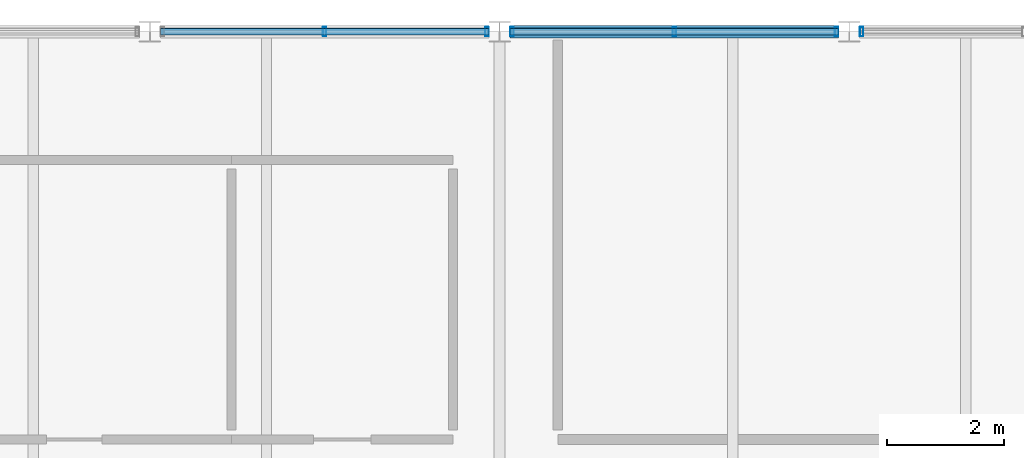
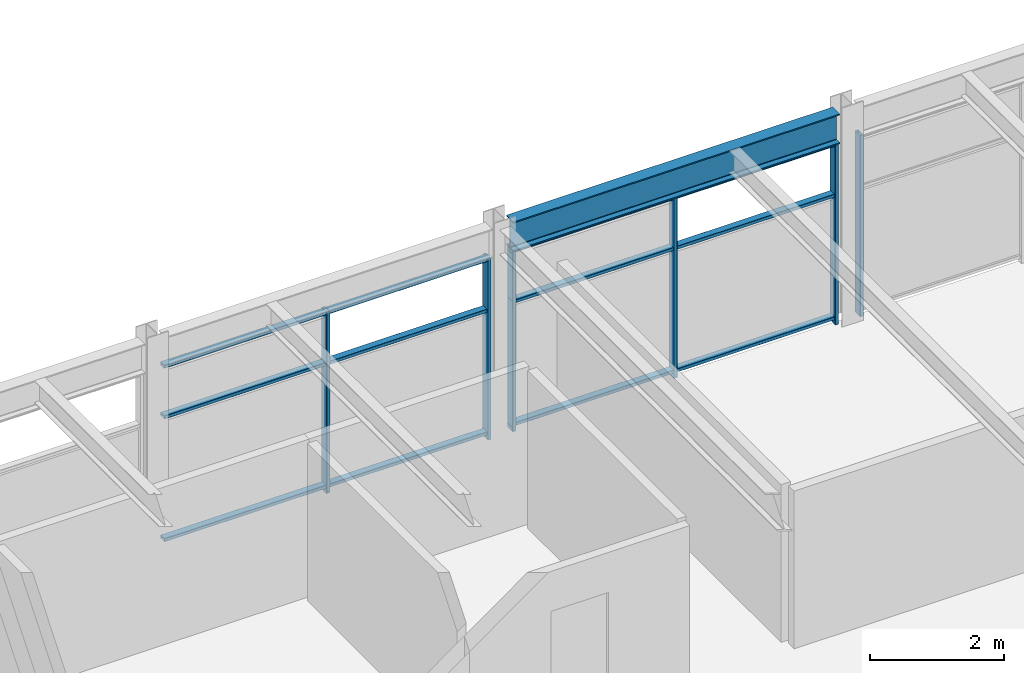
# One storey, part 20 of 40: 12 members, 1 beam, 3 elements without a shape of their own.
"""IFC4 building model written with IfcOpenShell, lengths in metres."""

from ifc_helpers import new_model, si_unit, direction, frame, origin, origin_2d, place, context, subcontext, project, spatial, hollow_rectangle, i_section, extrude, material, material_profile, profile_set, type_object, element, aggregate, save


model = new_model("IFC4")

# Units and contexts
model_context = context("Model", 3, precision=1e-05, world=origin(), true_north=direction((0.0, 1.0)))
body_context = subcontext(model_context, "Body", "Model", "MODEL_VIEW")
ifc_project = project(units=[si_unit("LENGTHUNIT", "METRE"), si_unit("AREAUNIT", "SQUARE_METRE"), si_unit("VOLUMEUNIT", "CUBIC_METRE"), si_unit("PLANEANGLEUNIT", "RADIAN"), si_unit("MASSUNIT", "GRAM", prefix="KILO")], contexts=[model_context])

# Site, building, storey
site_placement = place(None, origin())
site = spatial("IfcSite", under=ifc_project, at=site_placement, CompositionType="ELEMENT")
building_placement = place(site_placement, origin())
building = spatial("IfcBuilding", under=site, at=building_placement, Name="Girod Span Mobility Hub", CompositionType="ELEMENT")
storey_placement = place(building_placement, frame((0.0, 0.0, 57.60009765625)))
storey = spatial("IfcBuildingStorey", under=building, at=storey_placement, Name="L14", CompositionType="ELEMENT", Elevation=57.60009765625)

# Beam
ifc_material_1 = material(Name="Steel A992 Grade 50", Category="steel")
ifc_material_profile_1 = material_profile(ifc_material_1, i_section(OverallWidth=0.2119140625, OverallDepth=0.5439453125, WebThickness=0.01318359375, FlangeThickness=0.021240234375, FilletRadius=0.014892578125, at=origin_2d()), Name="W21X83")
ifc_profile_set_1 = profile_set([ifc_material_profile_1], Name="Steel A992 Grade 50")
beam_type = type_object("IfcBeamType", Name="BM-STL-W21X83", PredefinedType="SPANDREL", material=ifc_profile_set_1)
beam_placement = place(storey_placement, frame((72.181396484375, 69.0, 3.577880859375), z_axis=(1.0, 0.0, 0.0), x_axis=(0.0, 1.0, 0.0)))
element("IfcBeam", 1, at=beam_placement, inside=storey, type_object=beam_type, Name="Spandrel Beam 7-8/F-W L14", PredefinedType="SPANDREL", context=body_context, shape_type="SweptSolid", body=[
    extrude(i_section(OverallWidth=0.2119140625, OverallDepth=0.5439453125, WebThickness=0.01318359375, FlangeThickness=0.021240234375, FilletRadius=0.014892578125, at=origin_2d()), origin(), (0.0, 0.0, 1.0), 5.63720703125),
])

# Curtain wall, members
ifc_material_2 = material(Name="Thermally Broken Anodised Aluminium", Category="aluminium")
curtain_wall_type = type_object("IfcCurtainWallType", Name="CW-564X331", PredefinedType="USERDEFINED", material=ifc_material_2)
curtain_wall_1_placement = place(storey_placement, origin())
curtain_wall_1 = element("IfcCurtainWall", 2, at=curtain_wall_1_placement, inside=storey, type_object=curtain_wall_type, Name="Unitised Curtain Wall CW-L14-N06E L14", ObjectType="UNITISED CURTAIN WALL", PredefinedType="USERDEFINED")
ifc_material_3 = material(Name="Thermally Broken Anodised Aluminium", Category="aluminium")
ifc_material_profile_2 = material_profile(ifc_material_3, hollow_rectangle(XDim=0.159912109375, YDim=0.06005859375, WallThickness=0.00341796875, InnerFilletRadius=0.00341796875, OuterFilletRadius=0.007080078125, at=origin_2d()), Name="CW-ML-60X160")
ifc_profile_set_2 = profile_set([ifc_material_profile_2], Name="Thermally Broken Anodised Aluminium")
member_type_1 = type_object("IfcMemberType", Name="CWM-ML-3", PredefinedType="MULLION", material=ifc_profile_set_2)
member_1_placement = place(storey_placement, frame((69.0, 69.0, 0.0), z_axis=(0.0, 0.0, 1.0), x_axis=(0.0, 1.0, 0.0)))
member_1 = element("IfcMember", 3, at=member_1_placement, type_object=member_type_1, Name="Curtain Wall Mullion CW-L14-N06E-M1", PredefinedType="MULLION", context=body_context, shape_type="SweptSolid", body=[
    extrude(hollow_rectangle(XDim=0.159912109375, YDim=0.06005859375, WallThickness=0.00341796875, InnerFilletRadius=0.00341796875, OuterFilletRadius=0.007080078125, at=origin_2d()), origin(), (0.0, 0.0, 1.0), 3.305908203125),
])
member_2_placement = place(storey_placement, frame((71.785400390625, 69.0, 0.0), z_axis=(0.0, 0.0, 1.0), x_axis=(0.0, 1.0, 0.0)))
member_2 = element("IfcMember", 4, at=member_2_placement, type_object=member_type_1, Name="Curtain Wall Mullion CW-L14-N06E-M2", PredefinedType="MULLION", context=body_context, shape_type="SweptSolid", body=[
    extrude(hollow_rectangle(XDim=0.159912109375, YDim=0.06005859375, WallThickness=0.00341796875, InnerFilletRadius=0.00341796875, OuterFilletRadius=0.007080078125, at=origin_2d()), origin(), (0.0, 0.0, 1.0), 3.305908203125),
])

curtain_wall_2_placement = place(storey_placement, origin())
curtain_wall_2 = element("IfcCurtainWall", 5, at=curtain_wall_2_placement, inside=storey, type_object=curtain_wall_type, Name="Unitised Curtain Wall CW-L14-N07W L14", ObjectType="UNITISED CURTAIN WALL", PredefinedType="USERDEFINED")
member_3_placement = place(storey_placement, frame((72.214599609375, 69.0, 0.0), z_axis=(0.0, 0.0, 1.0), x_axis=(0.0, 1.0, 0.0)))
member_3 = element("IfcMember", 6, at=member_3_placement, type_object=member_type_1, Name="Curtain Wall Mullion CW-L14-N07W-M0", PredefinedType="MULLION", context=body_context, shape_type="SweptSolid", body=[
    extrude(hollow_rectangle(XDim=0.159912109375, YDim=0.06005859375, WallThickness=0.00341796875, InnerFilletRadius=0.00341796875, OuterFilletRadius=0.007080078125, at=origin_2d()), origin(), (0.0, 0.0, 1.0), 3.305908203125),
])
member_4_placement = place(storey_placement, frame((75.0, 69.0, 0.0), z_axis=(0.0, 0.0, 1.0), x_axis=(0.0, 1.0, 0.0)))
member_4 = element("IfcMember", 7, at=member_4_placement, type_object=member_type_1, Name="Curtain Wall Mullion CW-L14-N07W-M1", PredefinedType="MULLION", context=body_context, shape_type="SweptSolid", body=[
    extrude(hollow_rectangle(XDim=0.159912109375, YDim=0.06005859375, WallThickness=0.00341796875, InnerFilletRadius=0.00341796875, OuterFilletRadius=0.007080078125, at=origin_2d()), origin(), (0.0, 0.0, 1.0), 3.305908203125),
])
member_5_placement = place(storey_placement, frame((77.785400390625, 69.0, 0.0), z_axis=(0.0, 0.0, 1.0), x_axis=(0.0, 1.0, 0.0)))
member_5 = element("IfcMember", 8, at=member_5_placement, type_object=member_type_1, Name="Curtain Wall Mullion CW-L14-N07W-M2", PredefinedType="MULLION", context=body_context, shape_type="SweptSolid", body=[
    extrude(hollow_rectangle(XDim=0.159912109375, YDim=0.06005859375, WallThickness=0.00341796875, InnerFilletRadius=0.00341796875, OuterFilletRadius=0.007080078125, at=origin_2d()), origin(), (0.0, 0.0, 1.0), 3.305908203125),
])

# Curtain wall, member
curtain_wall_3_placement = place(storey_placement, origin())
curtain_wall_3 = element("IfcCurtainWall", 9, at=curtain_wall_3_placement, inside=storey, type_object=curtain_wall_type, Name="Unitised Curtain Wall CW-L14-N07E L14", ObjectType="UNITISED CURTAIN WALL", PredefinedType="USERDEFINED")
member_6_placement = place(storey_placement, frame((78.214599609375, 69.0, 0.0), z_axis=(0.0, 0.0, 1.0), x_axis=(0.0, 1.0, 0.0)))
member_6 = element("IfcMember", 10, at=member_6_placement, type_object=member_type_1, Name="Curtain Wall Mullion CW-L14-N07E-M0", PredefinedType="MULLION", context=body_context, shape_type="SweptSolid", body=[
    extrude(hollow_rectangle(XDim=0.159912109375, YDim=0.06005859375, WallThickness=0.00341796875, InnerFilletRadius=0.00341796875, OuterFilletRadius=0.007080078125, at=origin_2d()), origin(), (0.0, 0.0, 1.0), 3.305908203125),
])
aggregate(curtain_wall_3, [member_6])

# Member
ifc_material_4 = material(Name="Thermally Broken Anodised Aluminium", Category="aluminium")
ifc_material_profile_3 = material_profile(ifc_material_4, hollow_rectangle(XDim=0.1201171875, YDim=0.06005859375, WallThickness=0.00341796875, InnerFilletRadius=0.00341796875, OuterFilletRadius=0.007080078125, at=origin_2d()), Name="CW-TR-60X120")
ifc_profile_set_3 = profile_set([ifc_material_profile_3], Name="Thermally Broken Anodised Aluminium")
member_type_2 = type_object("IfcMemberType", Name="CWM-TR-3", PredefinedType="USERDEFINED", material=ifc_profile_set_3)
member_7_placement = place(storey_placement, frame((66.1826171875, 69.0, 0.10986328125), z_axis=(1.0, 0.0, 0.0), x_axis=(0.0, 1.0, 0.0)))
member_7 = element("IfcMember", 11, at=member_7_placement, type_object=member_type_2, Name="Curtain Wall Transom CW-L14-N06E-T1", ObjectType="TRANSOM", PredefinedType="USERDEFINED", context=body_context, shape_type="SweptSolid", body=[
    extrude(hollow_rectangle(XDim=0.1201171875, YDim=0.06005859375, WallThickness=0.00341796875, InnerFilletRadius=0.00341796875, OuterFilletRadius=0.007080078125, at=origin_2d()), origin(), (0.0, 0.0, 1.0), 5.634765625),
])

member_8_placement = place(storey_placement, frame((66.1826171875, 69.0, 2.35009765625), z_axis=(1.0, 0.0, 0.0), x_axis=(0.0, 1.0, 0.0)))
member_8 = element("IfcMember", 12, at=member_8_placement, type_object=member_type_2, Name="Curtain Wall Transom CW-L14-N06E-T2", ObjectType="TRANSOM", PredefinedType="USERDEFINED", context=body_context, shape_type="SweptSolid", body=[
    extrude(hollow_rectangle(XDim=0.1201171875, YDim=0.06005859375, WallThickness=0.00341796875, InnerFilletRadius=0.00341796875, OuterFilletRadius=0.007080078125, at=origin_2d()), origin(), (0.0, 0.0, 1.0), 5.634765625),
])

member_9_placement = place(storey_placement, frame((66.1826171875, 69.0, 3.27587890625), z_axis=(1.0, 0.0, 0.0), x_axis=(0.0, 1.0, 0.0)))
member_9 = element("IfcMember", 13, at=member_9_placement, type_object=member_type_2, Name="Curtain Wall Transom CW-L14-N06E-T3", ObjectType="TRANSOM", PredefinedType="USERDEFINED", context=body_context, shape_type="SweptSolid", body=[
    extrude(hollow_rectangle(XDim=0.1201171875, YDim=0.06005859375, WallThickness=0.00341796875, InnerFilletRadius=0.00341796875, OuterFilletRadius=0.007080078125, at=origin_2d()), origin(), (0.0, 0.0, 1.0), 5.634765625),
])

aggregate(curtain_wall_1, [member_1, member_2, member_7, member_8, member_9])

member_10_placement = place(storey_placement, frame((72.1826171875, 69.0, 0.10986328125), z_axis=(1.0, 0.0, 0.0), x_axis=(0.0, 1.0, 0.0)))
member_10 = element("IfcMember", 14, at=member_10_placement, type_object=member_type_2, Name="Curtain Wall Transom CW-L14-N07W-T1", ObjectType="TRANSOM", PredefinedType="USERDEFINED", context=body_context, shape_type="SweptSolid", body=[
    extrude(hollow_rectangle(XDim=0.1201171875, YDim=0.06005859375, WallThickness=0.00341796875, InnerFilletRadius=0.00341796875, OuterFilletRadius=0.007080078125, at=origin_2d()), origin(), (0.0, 0.0, 1.0), 5.634765625),
])

member_11_placement = place(storey_placement, frame((72.1826171875, 69.0, 2.35009765625), z_axis=(1.0, 0.0, 0.0), x_axis=(0.0, 1.0, 0.0)))
member_11 = element("IfcMember", 15, at=member_11_placement, type_object=member_type_2, Name="Curtain Wall Transom CW-L14-N07W-T2", ObjectType="TRANSOM", PredefinedType="USERDEFINED", context=body_context, shape_type="SweptSolid", body=[
    extrude(hollow_rectangle(XDim=0.1201171875, YDim=0.06005859375, WallThickness=0.00341796875, InnerFilletRadius=0.00341796875, OuterFilletRadius=0.007080078125, at=origin_2d()), origin(), (0.0, 0.0, 1.0), 5.634765625),
])

member_12_placement = place(storey_placement, frame((72.1826171875, 69.0, 3.27587890625), z_axis=(1.0, 0.0, 0.0), x_axis=(0.0, 1.0, 0.0)))
member_12 = element("IfcMember", 16, at=member_12_placement, type_object=member_type_2, Name="Curtain Wall Transom CW-L14-N07W-T3", ObjectType="TRANSOM", PredefinedType="USERDEFINED", context=body_context, shape_type="SweptSolid", body=[
    extrude(hollow_rectangle(XDim=0.1201171875, YDim=0.06005859375, WallThickness=0.00341796875, InnerFilletRadius=0.00341796875, OuterFilletRadius=0.007080078125, at=origin_2d()), origin(), (0.0, 0.0, 1.0), 5.634765625),
])

aggregate(curtain_wall_2, [member_3, member_4, member_5, member_10, member_11, member_12])

save(model, "model.ifc")
